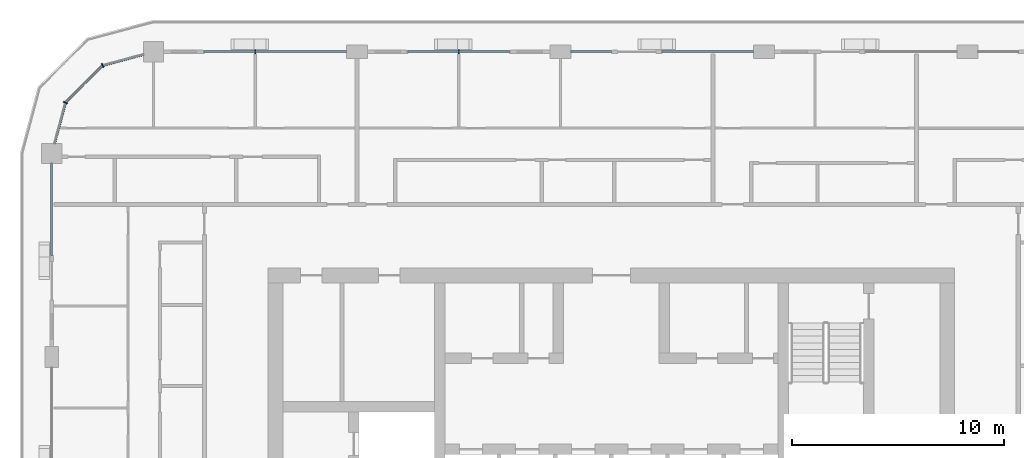
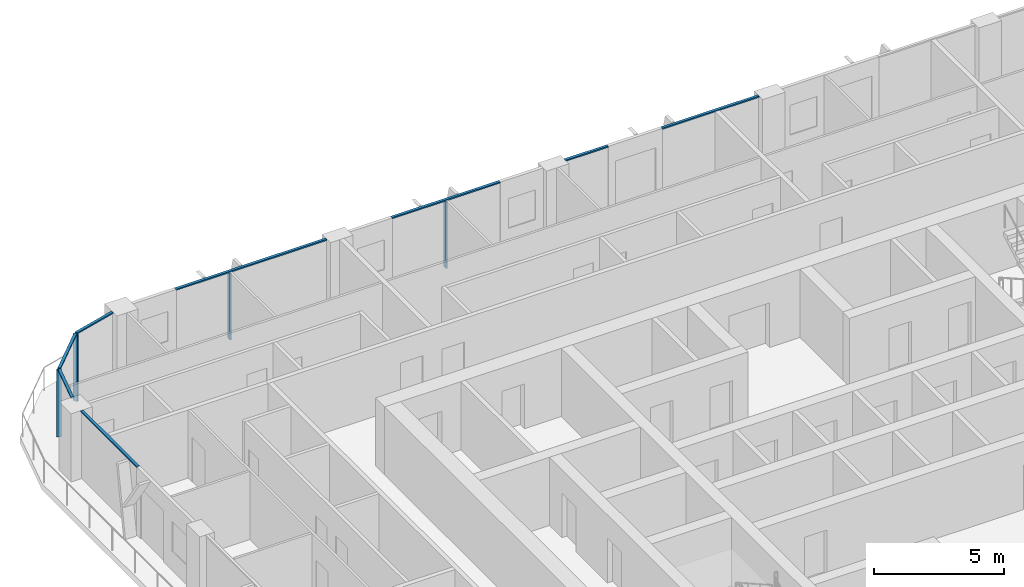
# One storey, part 5 of 22: 12 members, 5 elements without a shape of their own.
"""IFC4 building model written with IfcOpenShell, lengths in metres."""

from ifc_helpers import new_model, si_unit, direction, frame, origin, origin_2d, place, context, subcontext, project, spatial, rectangle, extrude, material, layer, layer_set, material_profile, profile_set, type_object, element, aggregate, save


model = new_model("IFC4")

# Units and contexts
model_context = context("Model", 3, precision=1e-05, world=origin(), true_north=direction((0.0, 1.0)))
body_context = subcontext(model_context, "Body", "Model", "MODEL_VIEW")
ifc_project = project(units=[si_unit("LENGTHUNIT", "METRE"), si_unit("AREAUNIT", "SQUARE_METRE"), si_unit("VOLUMEUNIT", "CUBIC_METRE"), si_unit("PLANEANGLEUNIT", "RADIAN"), si_unit("MASSUNIT", "GRAM", prefix="KILO")], contexts=[model_context])

# Site, building, storey
site_placement = place(None, origin())
site = spatial("IfcSite", under=ifc_project, at=site_placement, CompositionType="ELEMENT")
building_placement = place(site_placement, origin())
building = spatial("IfcBuilding", under=site, at=building_placement, Name="Madar Terraces", CompositionType="ELEMENT")
storey_placement = place(building_placement, frame((0.0, 0.0, 192.89990234375)))
storey = spatial("IfcBuildingStorey", under=building, at=storey_placement, Name="L50", CompositionType="ELEMENT", Elevation=192.89990234375)

# Curtain wall, member
ifc_material_1 = material(Name="Glass, ceramic frit dark grey, with black aluminium frame", Category="aluminium")
ifc_layer = layer(ifc_material_1, 0.199951171875)
ifc_layer_set = layer_set([ifc_layer], Name="Facade curtain wall, fritted glass")
curtain_wall_type = type_object("IfcCurtainWallType", Name="Facade curtain wall, fritted glass", PredefinedType="NOTDEFINED", material=ifc_layer_set)
curtain_wall_1_placement = place(storey_placement, origin())
curtain_wall_1 = element("IfcCurtainWall", 1, at=curtain_wall_1_placement, inside=storey, type_object=curtain_wall_type, Name="Outer skin curtain wall north bay 4", PredefinedType="NOTDEFINED")
ifc_material_2 = material(Name="Aluminium, black anodised", Category="aluminium")
ifc_material_profile_1 = material_profile(ifc_material_2, rectangle(XDim=0.199951171875, YDim=0.06005859375, at=origin_2d()), Name="Facade mullion 60x200")
ifc_profile_set_1 = profile_set([ifc_material_profile_1], Name="Aluminium, black anodised")
member_type_1 = type_object("IfcMemberType", Name="Facade mullion 60x200", PredefinedType="MULLION", material=ifc_profile_set_1)
member_1_placement = place(storey_placement, frame((24.0, 48.0, 0.0), z_axis=(0.0, 0.0, 1.0), x_axis=(0.0, -1.0, 0.0)))
member_1 = element("IfcMember", 2, at=member_1_placement, type_object=member_type_1, Name="Mullion 1", PredefinedType="MULLION", context=body_context, shape_type="SweptSolid", body=[
    extrude(rectangle(XDim=0.199951171875, YDim=0.06005859375, at=origin_2d()), origin(), (0.0, 0.0, 1.0), 3.14013671875),
])

curtain_wall_2_placement = place(storey_placement, origin())
curtain_wall_2 = element("IfcCurtainWall", 3, at=curtain_wall_2_placement, inside=storey, type_object=curtain_wall_type, Name="Outer skin curtain wall north bay 5", PredefinedType="NOTDEFINED")
member_2_placement = place(storey_placement, frame((14.39990234375, 48.0, 0.0), z_axis=(0.0, 0.0, 1.0), x_axis=(0.0, -1.0, 0.0)))
member_2 = element("IfcMember", 4, at=member_2_placement, type_object=member_type_1, Name="Mullion 1", PredefinedType="MULLION", context=body_context, shape_type="SweptSolid", body=[
    extrude(rectangle(XDim=0.199951171875, YDim=0.06005859375, at=origin_2d()), origin(), (0.0, 0.0, 1.0), 3.14013671875),
])

# Curtain wall, members
curtain_wall_3_placement = place(storey_placement, origin())
curtain_wall_3 = element("IfcCurtainWall", 5, at=curtain_wall_3_placement, inside=storey, type_object=curtain_wall_type, Name="Outer skin curtain wall north-west corner", PredefinedType="NOTDEFINED")
member_3_placement = place(storey_placement, frame((7.199951171875, 47.35693359375, 0.0), z_axis=(0.0, 0.0, 1.0), x_axis=(0.499999989586, -0.866025409797, 0.0)))
member_3 = element("IfcMember", 6, at=member_3_placement, type_object=member_type_1, Name="Mullion 1", PredefinedType="MULLION", context=body_context, shape_type="SweptSolid", body=[
    extrude(rectangle(XDim=0.199951171875, YDim=0.06005859375, at=origin_2d()), origin(), (0.0, 0.0, 1.0), 3.14013671875),
])
member_4_placement = place(storey_placement, frame((5.443115234375, 45.60009765625, 0.0), z_axis=(0.0, 0.0, 1.0), x_axis=(0.866025409797, -0.499999989586, 0.0)))
member_4 = element("IfcMember", 7, at=member_4_placement, type_object=member_type_1, Name="Mullion 2", PredefinedType="MULLION", context=body_context, shape_type="SweptSolid", body=[
    extrude(rectangle(XDim=0.199951171875, YDim=0.06005859375, at=origin_2d()), origin(), (0.0, 0.0, 1.0), 3.14013671875),
])

curtain_wall_4_placement = place(storey_placement, origin())
curtain_wall_4 = element("IfcCurtainWall", 8, at=curtain_wall_4_placement, inside=storey, type_object=curtain_wall_type, Name="Outer skin curtain wall north bay 3", PredefinedType="NOTDEFINED")
ifc_material_3 = material(Name="Aluminium, black anodised", Category="aluminium")
ifc_material_profile_2 = material_profile(ifc_material_3, rectangle(XDim=0.1201171875, YDim=0.06005859375, at=origin_2d()), Name="Facade transom 60x120")
ifc_profile_set_2 = profile_set([ifc_material_profile_2], Name="Aluminium, black anodised")
member_type_2 = type_object("IfcMemberType", Name="Facade transom 60x120", PredefinedType="USERDEFINED", material=ifc_profile_set_2)
member_5_placement = place(storey_placement, frame((37.89990234375, 48.0, 3.170166015625), z_axis=(-1.0, 0.0, 0.0), x_axis=(0.0, -1.0, 0.0)))
member_5 = element("IfcMember", 9, at=member_5_placement, type_object=member_type_2, Name="Transom 1", ObjectType="TRANSOM", PredefinedType="USERDEFINED", context=body_context, shape_type="SweptSolid", body=[
    extrude(rectangle(XDim=0.1201171875, YDim=0.06005859375, at=origin_2d()), origin(), (0.0, 0.0, 1.0), 4.2998046875),
])
member_6_placement = place(storey_placement, frame((31.199951171875, 48.0, 3.170166015625), z_axis=(-1.0, 0.0, 0.0), x_axis=(0.0, -1.0, 0.0)))
member_6 = element("IfcMember", 10, at=member_6_placement, type_object=member_type_2, Name="Transom 2", ObjectType="TRANSOM", PredefinedType="USERDEFINED", context=body_context, shape_type="SweptSolid", body=[
    extrude(rectangle(XDim=0.1201171875, YDim=0.06005859375, at=origin_2d()), origin(), (0.0, 0.0, 1.0), 1.89990234375),
])
aggregate(curtain_wall_4, [member_5, member_6])

# Member
member_7_placement = place(storey_placement, frame((26.39990234375, 48.0, 3.170166015625), z_axis=(-1.0, 0.0, 0.0), x_axis=(0.0, -1.0, 0.0)))
member_7 = element("IfcMember", 11, at=member_7_placement, type_object=member_type_2, Name="Transom 1", ObjectType="TRANSOM", PredefinedType="USERDEFINED", context=body_context, shape_type="SweptSolid", body=[
    extrude(rectangle(XDim=0.1201171875, YDim=0.06005859375, at=origin_2d()), origin(), (0.0, 0.0, 1.0), 4.7998046875),
])

aggregate(curtain_wall_1, [member_1, member_7])

member_8_placement = place(storey_placement, frame((18.699951171875, 48.0, 3.170166015625), z_axis=(-1.0, 0.0, 0.0), x_axis=(0.0, -1.0, 0.0)))
member_8 = element("IfcMember", 12, at=member_8_placement, type_object=member_type_2, Name="Transom 1", ObjectType="TRANSOM", PredefinedType="USERDEFINED", context=body_context, shape_type="SweptSolid", body=[
    extrude(rectangle(XDim=0.1201171875, YDim=0.06005859375, at=origin_2d()), origin(), (0.0, 0.0, 1.0), 6.699951171875),
])

aggregate(curtain_wall_2, [member_2, member_8])

# Curtain wall, member
curtain_wall_5_placement = place(storey_placement, origin())
curtain_wall_5 = element("IfcCurtainWall", 13, at=curtain_wall_5_placement, inside=storey, type_object=curtain_wall_type, Name="Outer skin curtain wall west bay 1", PredefinedType="NOTDEFINED")
member_9_placement = place(storey_placement, frame((4.800048828125, 42.72509765625, 3.170166015625), z_axis=(0.0, -1.0, 0.0), x_axis=(1.0, 0.0, 0.0)))
member_9 = element("IfcMember", 14, at=member_9_placement, type_object=member_type_2, Name="Transom 1", ObjectType="TRANSOM", PredefinedType="USERDEFINED", context=body_context, shape_type="SweptSolid", body=[
    extrude(rectangle(XDim=0.1201171875, YDim=0.06005859375, at=origin_2d()), origin(), (0.0, 0.0, 1.0), 4.3251953125),
])
aggregate(curtain_wall_5, [member_9])

# Member
member_10_placement = place(storey_placement, frame((9.125, 47.872802734375, 3.170166015625), z_axis=(-0.96592251241, -0.258831412352, 0.0), x_axis=(0.258831412352, -0.96592251241, 0.0)))
member_10 = element("IfcMember", 15, at=member_10_placement, type_object=member_type_2, Name="Transom 1", ObjectType="TRANSOM", PredefinedType="USERDEFINED", context=body_context, shape_type="SweptSolid", body=[
    extrude(rectangle(XDim=0.1201171875, YDim=0.06005859375, at=origin_2d()), origin(), (0.0, 0.0, 1.0), 1.962890625),
])

member_11_placement = place(storey_placement, frame((7.1787109375, 47.335693359375, 3.170166015625), z_axis=(-0.707056433593, -0.707157125196, 0.0), x_axis=(0.707157125196, -0.707056433593, 0.0)))
member_11 = element("IfcMember", 16, at=member_11_placement, type_object=member_type_2, Name="Transom 2", ObjectType="TRANSOM", PredefinedType="USERDEFINED", context=body_context, shape_type="SweptSolid", body=[
    extrude(rectangle(XDim=0.1201171875, YDim=0.06005859375, at=origin_2d()), origin(), (0.0, 0.0, 1.0), 2.424560546875),
])

member_12_placement = place(storey_placement, frame((5.435302734375, 45.571044921875, 3.170166015625), z_axis=(-0.258831412352, -0.96592251241, 0.0), x_axis=(0.96592251241, -0.258831412352, 0.0)))
member_12 = element("IfcMember", 17, at=member_12_placement, type_object=member_type_2, Name="Transom 3", ObjectType="TRANSOM", PredefinedType="USERDEFINED", context=body_context, shape_type="SweptSolid", body=[
    extrude(rectangle(XDim=0.1201171875, YDim=0.06005859375, at=origin_2d()), origin(), (0.0, 0.0, 1.0), 1.962890625),
])

aggregate(curtain_wall_3, [member_3, member_10, member_4, member_11, member_12])

save(model, "model.ifc")
